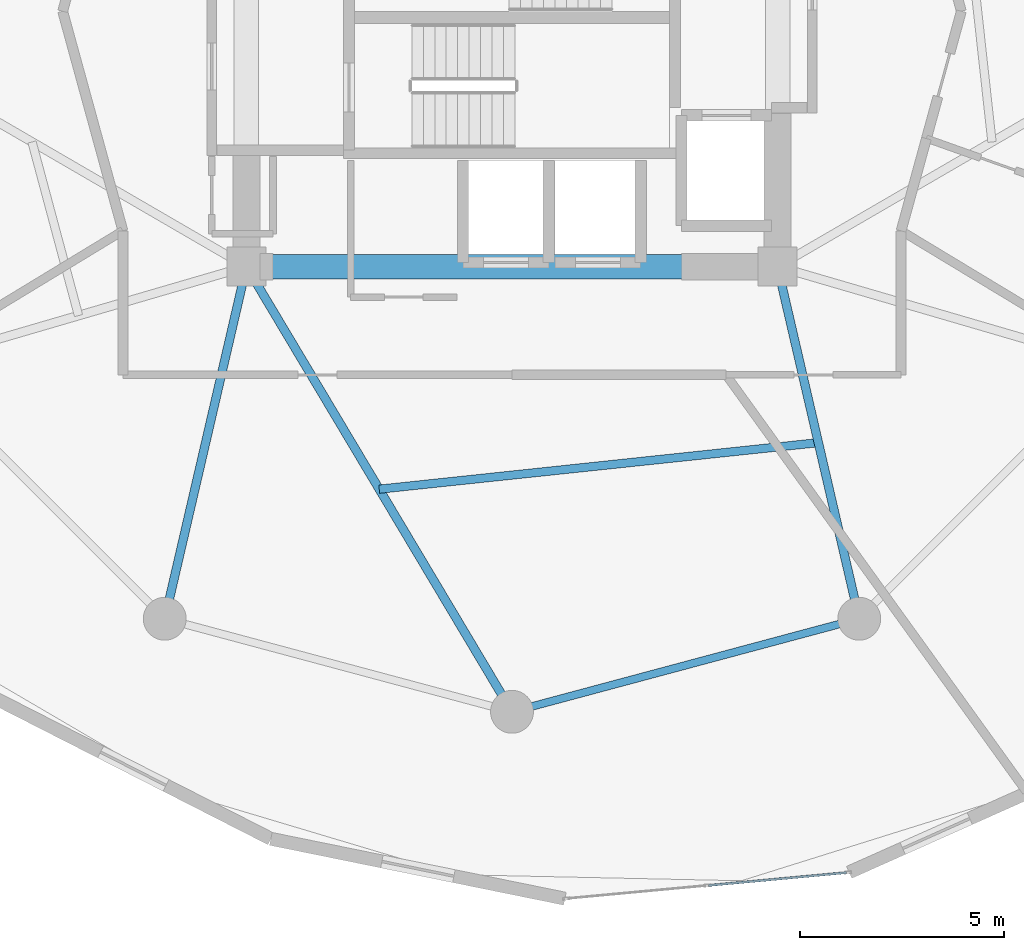
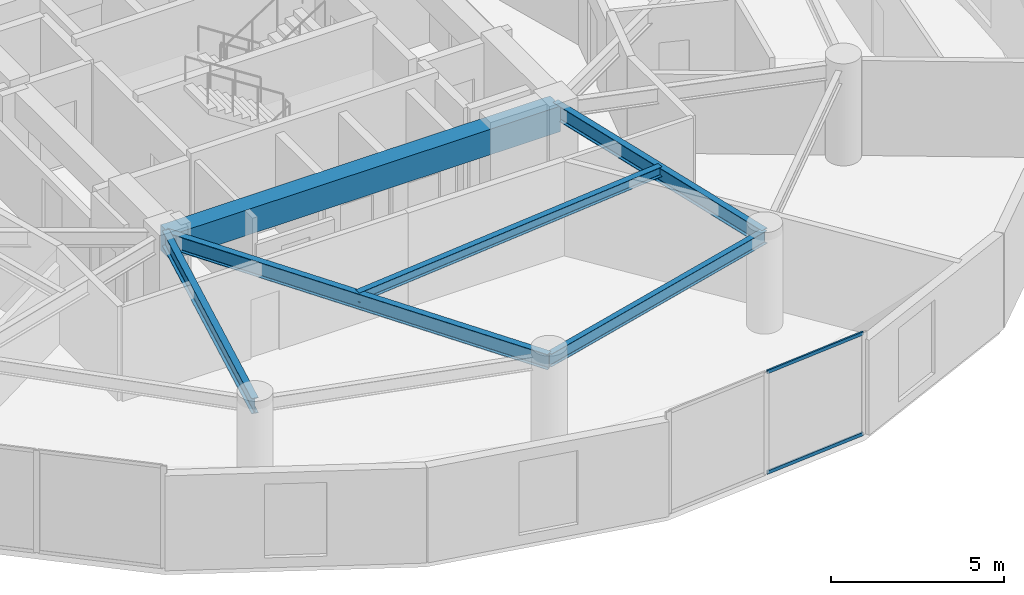
# One storey, part 4 of 25: 6 beams, 2 members, 1 element without a shape of its own.
"""IFC4 building model written with IfcOpenShell, lengths in metres."""

from ifc_helpers import new_model, si_unit, direction, frame, origin, origin_2d, place, context, subcontext, project, spatial, rectangle, hollow_rectangle, i_section, extrude, source, transform, mapped, material, layer, layer_set, material_profile, profile_set, type_object, element, aggregate, save


model = new_model("IFC4")

# Units and contexts
model_context = context("Model", 3, precision=1e-05, world=origin(), true_north=direction((0.0, 1.0)))
body_context = subcontext(model_context, "Body", "Model", "MODEL_VIEW")
ifc_project = project(units=[si_unit("LENGTHUNIT", "METRE"), si_unit("AREAUNIT", "SQUARE_METRE"), si_unit("VOLUMEUNIT", "CUBIC_METRE"), si_unit("PLANEANGLEUNIT", "RADIAN"), si_unit("MASSUNIT", "GRAM", prefix="KILO")], contexts=[model_context])

# Site, building, storey
site_placement = place(None, origin())
site = spatial("IfcSite", under=ifc_project, at=site_placement, CompositionType="ELEMENT")
building_placement = place(site_placement, origin())
building = spatial("IfcBuilding", under=site, at=building_placement, Name="Solvirekh Grand Hotel", CompositionType="ELEMENT")
storey_placement = place(building_placement, frame((0.0, 0.0, 117.0)))
storey = spatial("IfcBuildingStorey", under=building, at=storey_placement, Name="L29", CompositionType="ELEMENT", Elevation=117.0)

# Beams
ifc_material_1 = material(Name="Concrete C50/60", Category="concrete")
ifc_material_profile_1 = material_profile(ifc_material_1, rectangle(XDim=0.60009765625, YDim=0.89990234375, at=origin_2d()), Name="RC BEAM 600X900")
ifc_profile_set_1 = profile_set([ifc_material_profile_1], Name="Concrete C50/60")
beam_type_1 = type_object("IfcBeamType", Name="Beam_Core_RC900", PredefinedType="BEAM", material=ifc_profile_set_1)
beam_1_placement = place(storey_placement, frame((-6.5, -6.10009765625, 2.89990234375), z_axis=(1.0, 0.0, 0.0), x_axis=(0.0, 1.0, 0.0)))
element("IfcBeam", 1, at=beam_1_placement, inside=storey, type_object=beam_type_1, Name="L29 core coupling ring beam 1", PredefinedType="BEAM", context=body_context, shape_type="SweptSolid", body=[
    extrude(rectangle(XDim=0.60009765625, YDim=0.89990234375, at=origin_2d()), origin(), (0.0, 0.0, 1.0), 13.0),
])
ifc_material_2 = material(Name="Steel S355", Category="steel")
ifc_material_profile_2 = material_profile(ifc_material_2, i_section(OverallWidth=0.2119140625, OverallDepth=0.5439453125, WebThickness=0.011962890625, FlangeThickness=0.01904296875, FilletRadius=0.013916015625, at=origin_2d()), Name="W530X123")
ifc_profile_set_2 = profile_set([ifc_material_profile_2], Name="Steel S355")
beam_type_2 = type_object("IfcBeamType", Name="Beam_Radial_W530H", PredefinedType="BEAM", material=ifc_profile_set_2)
beam_2_placement = place(storey_placement, frame((-6.5, -6.10009765625, 3.077880859375), z_axis=(-0.225969390542, -0.974134402707, 0.0), x_axis=(0.974134402707, -0.225969390542, 0.0)))
element("IfcBeam", 2, at=beam_2_placement, inside=storey, type_object=beam_type_2, Name="L29 radial floor beam R09", PredefinedType="BEAM", context=body_context, shape_type="SweptSolid", body=[
    extrude(i_section(OverallWidth=0.2119140625, OverallDepth=0.5439453125, WebThickness=0.011962890625, FlangeThickness=0.01904296875, FilletRadius=0.013916015625, at=origin_2d()), origin(), (0.0, 0.0, 1.0), 8.850830078125),
])
beam_3_placement = place(storey_placement, frame((-6.5, -6.10009765625, 3.077880859375), z_axis=(0.512179721377, -0.858878299301, 0.0), x_axis=(0.858878299301, 0.512179721377, 0.0)))
element("IfcBeam", 3, at=beam_3_placement, inside=storey, type_object=beam_type_2, Name="L29 radial floor beam R10", PredefinedType="BEAM", context=body_context, shape_type="SweptSolid", body=[
    extrude(i_section(OverallWidth=0.2119140625, OverallDepth=0.5439453125, WebThickness=0.011962890625, FlangeThickness=0.01904296875, FilletRadius=0.013916015625, at=origin_2d()), origin(), (0.0, 0.0, 1.0), 12.69091796875),
])
beam_4_placement = place(storey_placement, frame((6.5, -6.10009765625, 3.077880859375), z_axis=(0.225969390542, -0.974134402707, 0.0), x_axis=(0.974134402707, 0.225969390542, 0.0)))
element("IfcBeam", 4, at=beam_4_placement, inside=storey, type_object=beam_type_2, Name="L29 radial floor beam R11", PredefinedType="BEAM", context=body_context, shape_type="SweptSolid", body=[
    extrude(i_section(OverallWidth=0.2119140625, OverallDepth=0.5439453125, WebThickness=0.011962890625, FlangeThickness=0.01904296875, FilletRadius=0.013916015625, at=origin_2d()), origin(), (0.0, 0.0, 1.0), 8.850830078125),
])
ifc_material_profile_3 = material_profile(ifc_material_2, i_section(OverallWidth=0.2041015625, OverallDepth=0.35009765625, WebThickness=0.009033203125, FlangeThickness=0.014892578125, FilletRadius=0.010986328125, at=origin_2d()), Name="W360X72")
ifc_profile_set_3 = profile_set([ifc_material_profile_3], Name="Steel S355")
beam_type_3 = type_object("IfcBeamType", Name="Joist_Floor_W360", PredefinedType="JOIST", material=ifc_profile_set_3)
beam_5_placement = place(storey_placement, frame((-3.25, -11.550048828125, 3.175048828125), z_axis=(0.994432198761, 0.105378375714, 0.0), x_axis=(-0.105378375714, 0.994432198761, 0.0)))
element("IfcBeam", 5, at=beam_5_placement, inside=storey, type_object=beam_type_3, Name="L29 secondary composite floor joist 10", PredefinedType="JOIST", context=body_context, shape_type="SweptSolid", body=[
    extrude(i_section(OverallWidth=0.2041015625, OverallDepth=0.35009765625, WebThickness=0.009033203125, FlangeThickness=0.014892578125, FilletRadius=0.010986328125, at=origin_2d()), origin(), (0.0, 0.0, 1.0), 10.810302734375),
])
ifc_material_profile_4 = material_profile(ifc_material_2, i_section(OverallWidth=0.18994140625, OverallDepth=0.45703125, WebThickness=0.009033203125, FlangeThickness=0.013916015625, FilletRadius=0.012939453125, at=origin_2d()), Name="W460X74")
ifc_profile_set_4 = profile_set([ifc_material_profile_4], Name="Steel S355")
beam_type_4 = type_object("IfcBeamType", Name="Spandrel_Ring_W460", PredefinedType="SPANDREL", material=ifc_profile_set_4)
beam_6_placement = place(storey_placement, frame((0.0, -17.0, 3.12109375), z_axis=(0.965911391906, 0.258872908946, 0.0), x_axis=(-0.258872908946, 0.965911391906, 0.0)))
element("IfcBeam", 6, at=beam_6_placement, inside=storey, type_object=beam_type_4, Name="L29 perimeter spandrel beam 10", PredefinedType="SPANDREL", context=body_context, shape_type="SweptSolid", body=[
    extrude(i_section(OverallWidth=0.18994140625, OverallDepth=0.45703125, WebThickness=0.009033203125, FlangeThickness=0.013916015625, FilletRadius=0.012939453125, at=origin_2d()), origin(), (0.0, 0.0, 1.0), 8.800048828125),
])

# Curtain wall, members
ifc_material_3 = material(Name="Anodized Bronze Aluminium 6063-T6", Category="aluminium")
ifc_layer = layer(ifc_material_3, 0.175048828125)
ifc_layer_set = layer_set([ifc_layer], Name="Anodized Bronze Aluminium 6063-T6")
curtain_wall_type = type_object("IfcCurtainWallType", Name="CW_Sys3_MidZoneFlushBronzeCW", PredefinedType="NOTDEFINED", material=ifc_layer_set)
curtain_wall_placement = place(storey_placement, origin())
curtain_wall = element("IfcCurtainWall", 7, at=curtain_wall_placement, inside=storey, type_object=curtain_wall_type, Name="L29 unitised bronze-glass curtain wall CW-L29-C18", PredefinedType="NOTDEFINED")
ifc_material_profile_5 = material_profile(ifc_material_3, hollow_rectangle(XDim=0.054931640625, YDim=0.1201171875, WallThickness=0.00390625, at=origin_2d()), Name="ALU RHS 120X55X4")
ifc_profile_set_5 = profile_set([ifc_material_profile_5], Name="Anodized Bronze Aluminium 6063-T6")
member_type = type_object("IfcMemberType", Name="CWTransom_Sys3", PredefinedType="USERDEFINED", material=ifc_profile_set_5)
shared_shape = source(origin(), body_context, "Body", "SweptSolid", [
    extrude(hollow_rectangle(XDim=0.054931640625, YDim=0.1201171875, WallThickness=0.00390625, at=origin_2d()), origin(), (0.0, 0.0, 1.0), 3.3974609375),
])
member_1_placement = place(storey_placement, frame((4.807373046875, -21.2509765625, 0.027587890625), z_axis=(0.9957206142, 0.092414600885, 0.0), x_axis=(-0.092414600885, 0.9957206142, 0.0)))
member_1 = element("IfcMember", 8, at=member_1_placement, type_object=member_type, Name="U03 transom 2.1", ObjectType="TRANSOM", PredefinedType="USERDEFINED", context=body_context, shape_type="MappedRepresentation", body=[
    mapped(shared_shape, transform((0.0, 0.0, 0.0), x_axis=(1.0, 0.0, 0.0), y_axis=(0.0, 1.0, 0.0), z_axis=(0.0, 0.0, 1.0), scale=1.0)),
])
member_2_placement = place(storey_placement, frame((4.807373046875, -21.2509765625, 3.572509765625), z_axis=(0.9957206142, 0.092414600885, 0.0), x_axis=(-0.092414600885, 0.9957206142, 0.0)))
member_2 = element("IfcMember", 9, at=member_2_placement, type_object=member_type, Name="U03 transom 2.2", ObjectType="TRANSOM", PredefinedType="USERDEFINED", context=body_context, shape_type="MappedRepresentation", body=[
    mapped(shared_shape, transform((0.0, 0.0, 0.0), x_axis=(1.0, 0.0, 0.0), y_axis=(0.0, 1.0, 0.0), z_axis=(0.0, 0.0, 1.0), scale=1.0)),
])
aggregate(curtain_wall, [member_1, member_2])

save(model, "model.ifc")
